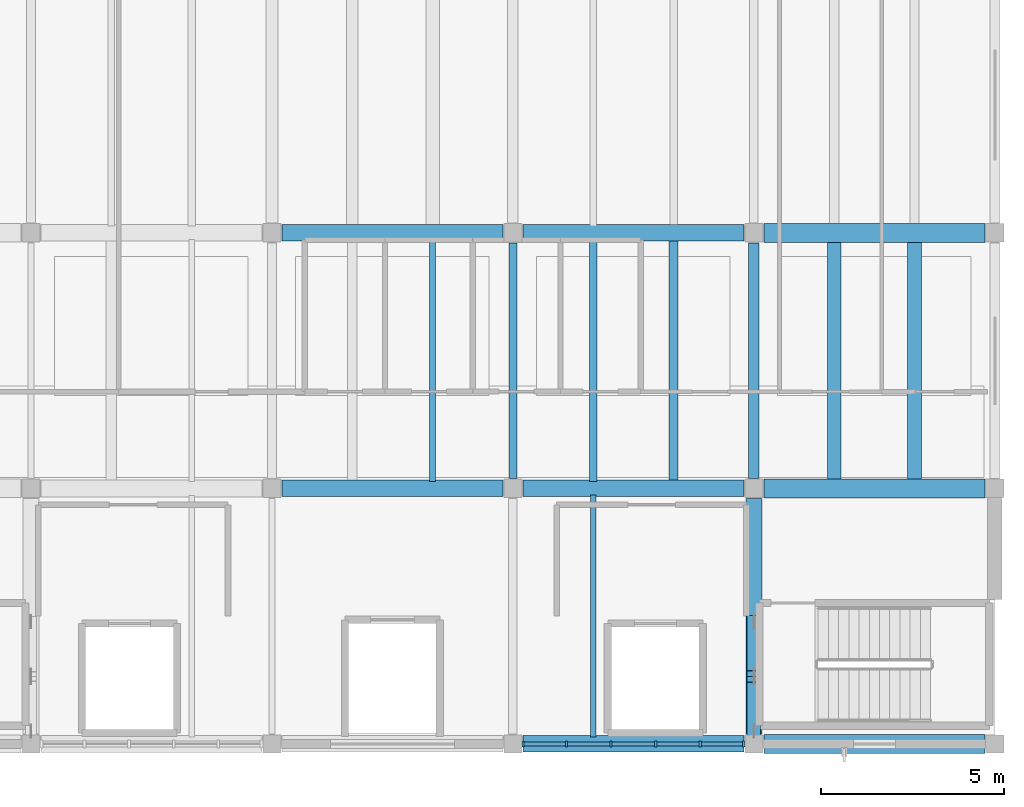
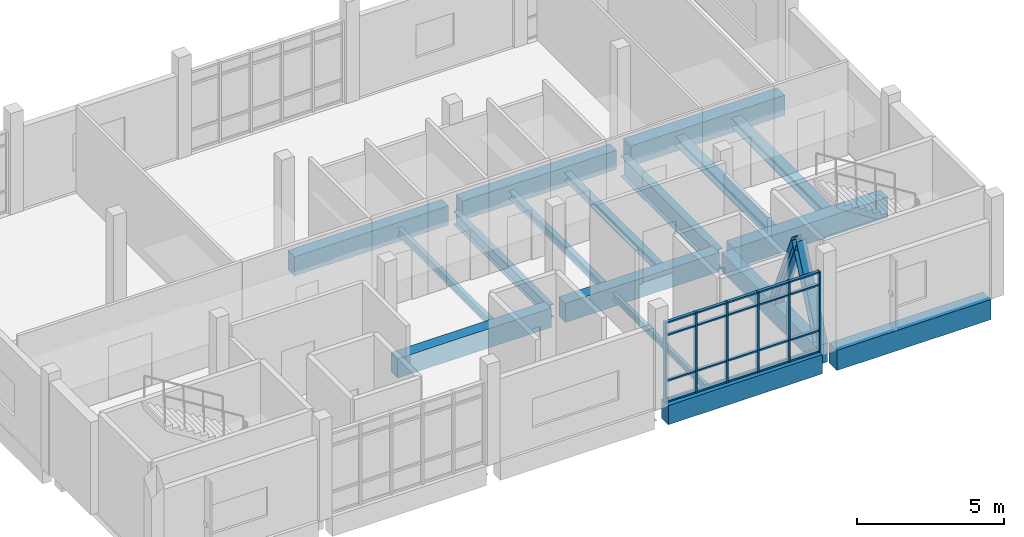
# One storey, part 2 of 10: 28 members, 17 beams, 1 element without a shape of its own.
"""IFC4 building model written with IfcOpenShell, lengths in metres."""

from ifc_helpers import new_model, si_unit, direction, frame, origin, origin_2d, place, context, subcontext, project, spatial, rectangle, i_section, extrude, material, material_profile, profile_set, type_object, element, aggregate, save


model = new_model("IFC4")

# Units and contexts
model_context = context("Model", 3, precision=1e-05, world=origin(), true_north=direction((0.0, 1.0)))
body_context = subcontext(model_context, "Body", "Model", "MODEL_VIEW")
ifc_project = project(units=[si_unit("LENGTHUNIT", "METRE"), si_unit("AREAUNIT", "SQUARE_METRE"), si_unit("VOLUMEUNIT", "CUBIC_METRE"), si_unit("PLANEANGLEUNIT", "RADIAN"), si_unit("MASSUNIT", "GRAM", prefix="KILO")], contexts=[model_context])

# Site, building, storey
site_placement = place(None, origin())
site = spatial("IfcSite", under=ifc_project, at=site_placement, CompositionType="ELEMENT")
building_placement = place(site_placement, origin())
building = spatial("IfcBuilding", under=site, at=building_placement, Name="Ciguamira Faculty of Natural Sciences", CompositionType="ELEMENT")
storey_placement = place(building_placement, frame((0.0, 0.0, 42.0)))
storey = spatial("IfcBuildingStorey", under=building, at=storey_placement, Name="L10", CompositionType="ELEMENT", Elevation=42.0)

# Curtain wall, members
ifc_material_1 = material(Name="Anodized aluminium curtain wall", Category="aluminium")
curtain_wall_type = type_object("IfcCurtainWallType", Name="CurtainWall_CW-10", PredefinedType="USERDEFINED", material=ifc_material_1)
curtain_wall_placement = place(storey_placement, origin())
curtain_wall = element("IfcCurtainWall", 1, at=curtain_wall_placement, inside=storey, type_object=curtain_wall_type, Name="L10 unitised curtain wall 0166", ObjectType="UNITISED CURTAIN WALL", PredefinedType="USERDEFINED")
ifc_material_2 = material(Name="Anodized aluminium mullion", Category="aluminium")
ifc_material_profile_1 = material_profile(ifc_material_2, rectangle(XDim=0.06005859375, YDim=0.159912109375, at=origin_2d()), Name="ALU-MUL-60X160")
ifc_profile_set_1 = profile_set([ifc_material_profile_1], Name="Anodized aluminium mullion")
member_type_1 = type_object("IfcMemberType", Name="CWMullion_CWM-01", PredefinedType="MULLION", material=ifc_profile_set_1)
member_1_placement = place(storey_placement, frame((90.580078125, 94.0, 0.0), z_axis=(0.0, 0.0, 1.0), x_axis=(1.0, 0.0, 0.0)))
member_1 = element("IfcMember", 2, at=member_1_placement, type_object=member_type_1, Name="CW-10 mullion 1", PredefinedType="MULLION", context=body_context, shape_type="SweptSolid", body=[
    extrude(rectangle(XDim=0.06005859375, YDim=0.159912109375, at=origin_2d()), origin(), (0.0, 0.0, 1.0), 3.344970703125),
])
member_2_placement = place(storey_placement, frame((91.77001953125, 94.0, 0.0), z_axis=(0.0, 0.0, 1.0), x_axis=(1.0, 0.0, 0.0)))
member_2 = element("IfcMember", 3, at=member_2_placement, type_object=member_type_1, Name="CW-10 mullion 2", PredefinedType="MULLION", context=body_context, shape_type="SweptSolid", body=[
    extrude(rectangle(XDim=0.06005859375, YDim=0.159912109375, at=origin_2d()), origin(), (0.0, 0.0, 1.0), 3.344970703125),
])
member_3_placement = place(storey_placement, frame((92.989990234375, 94.0, 0.0), z_axis=(0.0, 0.0, 1.0), x_axis=(1.0, 0.0, 0.0)))
member_3 = element("IfcMember", 4, at=member_3_placement, type_object=member_type_1, Name="CW-10 mullion 3", PredefinedType="MULLION", context=body_context, shape_type="SweptSolid", body=[
    extrude(rectangle(XDim=0.06005859375, YDim=0.159912109375, at=origin_2d()), origin(), (0.0, 0.0, 1.0), 3.344970703125),
])
member_4_placement = place(storey_placement, frame((94.2099609375, 94.0, 0.0), z_axis=(0.0, 0.0, 1.0), x_axis=(1.0, 0.0, 0.0)))
member_4 = element("IfcMember", 5, at=member_4_placement, type_object=member_type_1, Name="CW-10 mullion 4", PredefinedType="MULLION", context=body_context, shape_type="SweptSolid", body=[
    extrude(rectangle(XDim=0.06005859375, YDim=0.159912109375, at=origin_2d()), origin(), (0.0, 0.0, 1.0), 3.344970703125),
])
member_5_placement = place(storey_placement, frame((95.429931640625, 94.0, 0.0), z_axis=(0.0, 0.0, 1.0), x_axis=(1.0, 0.0, 0.0)))
member_5 = element("IfcMember", 6, at=member_5_placement, type_object=member_type_1, Name="CW-10 mullion 5", PredefinedType="MULLION", context=body_context, shape_type="SweptSolid", body=[
    extrude(rectangle(XDim=0.06005859375, YDim=0.159912109375, at=origin_2d()), origin(), (0.0, 0.0, 1.0), 3.344970703125),
])
member_6_placement = place(storey_placement, frame((96.6201171875, 94.0, 0.0), z_axis=(0.0, 0.0, 1.0), x_axis=(1.0, 0.0, 0.0)))
member_6 = element("IfcMember", 7, at=member_6_placement, type_object=member_type_1, Name="CW-10 mullion 6", PredefinedType="MULLION", context=body_context, shape_type="SweptSolid", body=[
    extrude(rectangle(XDim=0.06005859375, YDim=0.159912109375, at=origin_2d()), origin(), (0.0, 0.0, 1.0), 3.344970703125),
])
ifc_material_3 = material(Name="Anodized aluminium transom", Category="aluminium")
ifc_material_profile_2 = material_profile(ifc_material_3, rectangle(XDim=0.06005859375, YDim=0.1201171875, at=origin_2d()), Name="ALU-TRN-60X120")
ifc_profile_set_2 = profile_set([ifc_material_profile_2], Name="Anodized aluminium transom")
member_type_2 = type_object("IfcMemberType", Name="CWTransom_CWT-01", PredefinedType="USERDEFINED", material=ifc_profile_set_2)
member_7_placement = place(storey_placement, frame((90.610107421875, 94.0, 0.030029296875), z_axis=(1.0, 0.0, 0.0), x_axis=(0.0, 0.0, 1.0)))
member_7 = element("IfcMember", 8, at=member_7_placement, type_object=member_type_2, Name="CW-10 transom 1.1", ObjectType="TRANSOM", PredefinedType="USERDEFINED", context=body_context, shape_type="SweptSolid", body=[
    extrude(rectangle(XDim=0.06005859375, YDim=0.1201171875, at=origin_2d()), origin(), (0.0, 0.0, 1.0), 1.1298828125),
])
member_8_placement = place(storey_placement, frame((90.610107421875, 94.0, 0.89990234375), z_axis=(1.0, 0.0, 0.0), x_axis=(0.0, 0.0, 1.0)))
member_8 = element("IfcMember", 9, at=member_8_placement, type_object=member_type_2, Name="CW-10 transom 1.2", ObjectType="TRANSOM", PredefinedType="USERDEFINED", context=body_context, shape_type="SweptSolid", body=[
    extrude(rectangle(XDim=0.06005859375, YDim=0.1201171875, at=origin_2d()), origin(), (0.0, 0.0, 1.0), 1.1298828125),
])
member_9_placement = place(storey_placement, frame((90.610107421875, 94.0, 2.794921875), z_axis=(1.0, 0.0, 0.0), x_axis=(0.0, 0.0, 1.0)))
member_9 = element("IfcMember", 10, at=member_9_placement, type_object=member_type_2, Name="CW-10 transom 1.3", ObjectType="TRANSOM", PredefinedType="USERDEFINED", context=body_context, shape_type="SweptSolid", body=[
    extrude(rectangle(XDim=0.06005859375, YDim=0.1201171875, at=origin_2d()), origin(), (0.0, 0.0, 1.0), 1.1298828125),
])
member_10_placement = place(storey_placement, frame((90.610107421875, 94.0, 3.31494140625), z_axis=(1.0, 0.0, 0.0), x_axis=(0.0, 0.0, 1.0)))
member_10 = element("IfcMember", 11, at=member_10_placement, type_object=member_type_2, Name="CW-10 transom 1.4", ObjectType="TRANSOM", PredefinedType="USERDEFINED", context=body_context, shape_type="SweptSolid", body=[
    extrude(rectangle(XDim=0.06005859375, YDim=0.1201171875, at=origin_2d()), origin(), (0.0, 0.0, 1.0), 1.1298828125),
])
member_11_placement = place(storey_placement, frame((91.800048828125, 94.0, 0.030029296875), z_axis=(1.0, 0.0, 0.0), x_axis=(0.0, 0.0, 1.0)))
member_11 = element("IfcMember", 12, at=member_11_placement, type_object=member_type_2, Name="CW-10 transom 2.1", ObjectType="TRANSOM", PredefinedType="USERDEFINED", context=body_context, shape_type="SweptSolid", body=[
    extrude(rectangle(XDim=0.06005859375, YDim=0.1201171875, at=origin_2d()), origin(), (0.0, 0.0, 1.0), 1.159912109375),
])
member_12_placement = place(storey_placement, frame((91.800048828125, 94.0, 0.89990234375), z_axis=(1.0, 0.0, 0.0), x_axis=(0.0, 0.0, 1.0)))
member_12 = element("IfcMember", 13, at=member_12_placement, type_object=member_type_2, Name="CW-10 transom 2.2", ObjectType="TRANSOM", PredefinedType="USERDEFINED", context=body_context, shape_type="SweptSolid", body=[
    extrude(rectangle(XDim=0.06005859375, YDim=0.1201171875, at=origin_2d()), origin(), (0.0, 0.0, 1.0), 1.159912109375),
])
member_13_placement = place(storey_placement, frame((91.800048828125, 94.0, 2.794921875), z_axis=(1.0, 0.0, 0.0), x_axis=(0.0, 0.0, 1.0)))
member_13 = element("IfcMember", 14, at=member_13_placement, type_object=member_type_2, Name="CW-10 transom 2.3", ObjectType="TRANSOM", PredefinedType="USERDEFINED", context=body_context, shape_type="SweptSolid", body=[
    extrude(rectangle(XDim=0.06005859375, YDim=0.1201171875, at=origin_2d()), origin(), (0.0, 0.0, 1.0), 1.159912109375),
])
member_14_placement = place(storey_placement, frame((91.800048828125, 94.0, 3.31494140625), z_axis=(1.0, 0.0, 0.0), x_axis=(0.0, 0.0, 1.0)))
member_14 = element("IfcMember", 15, at=member_14_placement, type_object=member_type_2, Name="CW-10 transom 2.4", ObjectType="TRANSOM", PredefinedType="USERDEFINED", context=body_context, shape_type="SweptSolid", body=[
    extrude(rectangle(XDim=0.06005859375, YDim=0.1201171875, at=origin_2d()), origin(), (0.0, 0.0, 1.0), 1.159912109375),
])
member_15_placement = place(storey_placement, frame((93.02001953125, 94.0, 0.030029296875), z_axis=(1.0, 0.0, 0.0), x_axis=(0.0, 0.0, 1.0)))
member_15 = element("IfcMember", 16, at=member_15_placement, type_object=member_type_2, Name="CW-10 transom 3.1", ObjectType="TRANSOM", PredefinedType="USERDEFINED", context=body_context, shape_type="SweptSolid", body=[
    extrude(rectangle(XDim=0.06005859375, YDim=0.1201171875, at=origin_2d()), origin(), (0.0, 0.0, 1.0), 1.159912109375),
])
member_16_placement = place(storey_placement, frame((93.02001953125, 94.0, 0.89990234375), z_axis=(1.0, 0.0, 0.0), x_axis=(0.0, 0.0, 1.0)))
member_16 = element("IfcMember", 17, at=member_16_placement, type_object=member_type_2, Name="CW-10 transom 3.2", ObjectType="TRANSOM", PredefinedType="USERDEFINED", context=body_context, shape_type="SweptSolid", body=[
    extrude(rectangle(XDim=0.06005859375, YDim=0.1201171875, at=origin_2d()), origin(), (0.0, 0.0, 1.0), 1.159912109375),
])
member_17_placement = place(storey_placement, frame((93.02001953125, 94.0, 2.794921875), z_axis=(1.0, 0.0, 0.0), x_axis=(0.0, 0.0, 1.0)))
member_17 = element("IfcMember", 18, at=member_17_placement, type_object=member_type_2, Name="CW-10 transom 3.3", ObjectType="TRANSOM", PredefinedType="USERDEFINED", context=body_context, shape_type="SweptSolid", body=[
    extrude(rectangle(XDim=0.06005859375, YDim=0.1201171875, at=origin_2d()), origin(), (0.0, 0.0, 1.0), 1.159912109375),
])
member_18_placement = place(storey_placement, frame((93.02001953125, 94.0, 3.31494140625), z_axis=(1.0, 0.0, 0.0), x_axis=(0.0, 0.0, 1.0)))
member_18 = element("IfcMember", 19, at=member_18_placement, type_object=member_type_2, Name="CW-10 transom 3.4", ObjectType="TRANSOM", PredefinedType="USERDEFINED", context=body_context, shape_type="SweptSolid", body=[
    extrude(rectangle(XDim=0.06005859375, YDim=0.1201171875, at=origin_2d()), origin(), (0.0, 0.0, 1.0), 1.159912109375),
])
member_19_placement = place(storey_placement, frame((94.239990234375, 94.0, 0.030029296875), z_axis=(1.0, 0.0, 0.0), x_axis=(0.0, 0.0, 1.0)))
member_19 = element("IfcMember", 20, at=member_19_placement, type_object=member_type_2, Name="CW-10 transom 4.1", ObjectType="TRANSOM", PredefinedType="USERDEFINED", context=body_context, shape_type="SweptSolid", body=[
    extrude(rectangle(XDim=0.06005859375, YDim=0.1201171875, at=origin_2d()), origin(), (0.0, 0.0, 1.0), 1.159912109375),
])
member_20_placement = place(storey_placement, frame((94.239990234375, 94.0, 0.89990234375), z_axis=(1.0, 0.0, 0.0), x_axis=(0.0, 0.0, 1.0)))
member_20 = element("IfcMember", 21, at=member_20_placement, type_object=member_type_2, Name="CW-10 transom 4.2", ObjectType="TRANSOM", PredefinedType="USERDEFINED", context=body_context, shape_type="SweptSolid", body=[
    extrude(rectangle(XDim=0.06005859375, YDim=0.1201171875, at=origin_2d()), origin(), (0.0, 0.0, 1.0), 1.159912109375),
])
member_21_placement = place(storey_placement, frame((94.239990234375, 94.0, 2.794921875), z_axis=(1.0, 0.0, 0.0), x_axis=(0.0, 0.0, 1.0)))
member_21 = element("IfcMember", 22, at=member_21_placement, type_object=member_type_2, Name="CW-10 transom 4.3", ObjectType="TRANSOM", PredefinedType="USERDEFINED", context=body_context, shape_type="SweptSolid", body=[
    extrude(rectangle(XDim=0.06005859375, YDim=0.1201171875, at=origin_2d()), origin(), (0.0, 0.0, 1.0), 1.159912109375),
])
member_22_placement = place(storey_placement, frame((94.239990234375, 94.0, 3.31494140625), z_axis=(1.0, 0.0, 0.0), x_axis=(0.0, 0.0, 1.0)))
member_22 = element("IfcMember", 23, at=member_22_placement, type_object=member_type_2, Name="CW-10 transom 4.4", ObjectType="TRANSOM", PredefinedType="USERDEFINED", context=body_context, shape_type="SweptSolid", body=[
    extrude(rectangle(XDim=0.06005859375, YDim=0.1201171875, at=origin_2d()), origin(), (0.0, 0.0, 1.0), 1.159912109375),
])
member_23_placement = place(storey_placement, frame((95.4599609375, 94.0, 0.030029296875), z_axis=(1.0, 0.0, 0.0), x_axis=(0.0, 0.0, 1.0)))
member_23 = element("IfcMember", 24, at=member_23_placement, type_object=member_type_2, Name="CW-10 transom 5.1", ObjectType="TRANSOM", PredefinedType="USERDEFINED", context=body_context, shape_type="SweptSolid", body=[
    extrude(rectangle(XDim=0.06005859375, YDim=0.1201171875, at=origin_2d()), origin(), (0.0, 0.0, 1.0), 1.130126953125),
])
member_24_placement = place(storey_placement, frame((95.4599609375, 94.0, 0.89990234375), z_axis=(1.0, 0.0, 0.0), x_axis=(0.0, 0.0, 1.0)))
member_24 = element("IfcMember", 25, at=member_24_placement, type_object=member_type_2, Name="CW-10 transom 5.2", ObjectType="TRANSOM", PredefinedType="USERDEFINED", context=body_context, shape_type="SweptSolid", body=[
    extrude(rectangle(XDim=0.06005859375, YDim=0.1201171875, at=origin_2d()), origin(), (0.0, 0.0, 1.0), 1.130126953125),
])
member_25_placement = place(storey_placement, frame((95.4599609375, 94.0, 2.794921875), z_axis=(1.0, 0.0, 0.0), x_axis=(0.0, 0.0, 1.0)))
member_25 = element("IfcMember", 26, at=member_25_placement, type_object=member_type_2, Name="CW-10 transom 5.3", ObjectType="TRANSOM", PredefinedType="USERDEFINED", context=body_context, shape_type="SweptSolid", body=[
    extrude(rectangle(XDim=0.06005859375, YDim=0.1201171875, at=origin_2d()), origin(), (0.0, 0.0, 1.0), 1.130126953125),
])
member_26_placement = place(storey_placement, frame((95.4599609375, 94.0, 3.31494140625), z_axis=(1.0, 0.0, 0.0), x_axis=(0.0, 0.0, 1.0)))
member_26 = element("IfcMember", 27, at=member_26_placement, type_object=member_type_2, Name="CW-10 transom 5.4", ObjectType="TRANSOM", PredefinedType="USERDEFINED", context=body_context, shape_type="SweptSolid", body=[
    extrude(rectangle(XDim=0.06005859375, YDim=0.1201171875, at=origin_2d()), origin(), (0.0, 0.0, 1.0), 1.130126953125),
])
aggregate(curtain_wall, [member_1, member_2, member_3, member_4, member_5, member_6, member_7, member_8, member_9, member_10, member_11, member_12, member_13, member_14, member_15, member_16, member_17, member_18, member_19, member_20, member_21, member_22, member_23, member_24, member_25, member_26])

# Beams
ifc_material_4 = material(Name="Concrete C40/50", Category="concrete")
ifc_material_profile_3 = material_profile(ifc_material_4, rectangle(XDim=0.449951171875, YDim=0.800048828125, at=origin_2d()), Name="RC-BM-450X800")
ifc_profile_set_3 = profile_set([ifc_material_profile_3], Name="Concrete C40/50")
beam_type_1 = type_object("IfcBeamType", Name="RCBeam_BG-05_RC-BM-450X800", PredefinedType="BEAM", material=ifc_profile_set_3)
beam_1_placement = place(storey_placement, frame((90.574951171875, 94.0, -0.39990234375), z_axis=(1.0, 0.0, 0.0), x_axis=(0.0, 1.0, 0.0)))
element("IfcBeam", 28, at=beam_1_placement, inside=storey, type_object=beam_type_1, Name="L10 RC girder EW-1677", PredefinedType="BEAM", context=body_context, shape_type="SweptSolid", body=[
    extrude(rectangle(XDim=0.449951171875, YDim=0.800048828125, at=origin_2d()), origin(), (0.0, 0.0, 1.0), 6.050048828125),
])
beam_2_placement = place(storey_placement, frame((83.97509765625, 101.0, -0.39990234375), z_axis=(1.0, 0.0, 0.0), x_axis=(0.0, 1.0, 0.0)))
element("IfcBeam", 29, at=beam_2_placement, inside=storey, type_object=beam_type_1, Name="L10 RC girder EW-1681", PredefinedType="BEAM", context=body_context, shape_type="SweptSolid", body=[
    extrude(rectangle(XDim=0.449951171875, YDim=0.800048828125, at=origin_2d()), origin(), (0.0, 0.0, 1.0), 6.0498046875),
])
beam_3_placement = place(storey_placement, frame((90.574951171875, 101.0, -0.39990234375), z_axis=(1.0, 0.0, 0.0), x_axis=(0.0, 1.0, 0.0)))
element("IfcBeam", 30, at=beam_3_placement, inside=storey, type_object=beam_type_1, Name="L10 RC girder EW-1682", PredefinedType="BEAM", context=body_context, shape_type="SweptSolid", body=[
    extrude(rectangle(XDim=0.449951171875, YDim=0.800048828125, at=origin_2d()), origin(), (0.0, 0.0, 1.0), 6.050048828125),
])
beam_4_placement = place(storey_placement, frame((83.97509765625, 108.0, -0.39990234375), z_axis=(1.0, 0.0, 0.0), x_axis=(0.0, 1.0, 0.0)))
element("IfcBeam", 31, at=beam_4_placement, inside=storey, type_object=beam_type_1, Name="L10 RC girder EW-1686", PredefinedType="BEAM", context=body_context, shape_type="SweptSolid", body=[
    extrude(rectangle(XDim=0.449951171875, YDim=0.800048828125, at=origin_2d()), origin(), (0.0, 0.0, 1.0), 6.0498046875),
])
beam_5_placement = place(storey_placement, frame((90.574951171875, 108.0, -0.39990234375), z_axis=(1.0, 0.0, 0.0), x_axis=(0.0, 1.0, 0.0)))
element("IfcBeam", 32, at=beam_5_placement, inside=storey, type_object=beam_type_1, Name="L10 RC girder EW-1687", PredefinedType="BEAM", context=body_context, shape_type="SweptSolid", body=[
    extrude(rectangle(XDim=0.449951171875, YDim=0.800048828125, at=origin_2d()), origin(), (0.0, 0.0, 1.0), 6.050048828125),
])
ifc_material_profile_4 = material_profile(ifc_material_4, rectangle(XDim=0.43994140625, YDim=0.780029296875, at=origin_2d()), Name="RC-BM-440X780")
ifc_profile_set_4 = profile_set([ifc_material_profile_4], Name="Concrete C40/50")
beam_type_2 = type_object("IfcBeamType", Name="RCBeam_BG-06_RC-BM-440X780", PredefinedType="BEAM", material=ifc_profile_set_4)
beam_6_placement = place(storey_placement, frame((96.89990234375, 94.27490234375, -0.389892578125), z_axis=(0.0, 1.0, 0.0), x_axis=(-1.0, 0.0, 0.0)))
element("IfcBeam", 33, at=beam_6_placement, inside=storey, type_object=beam_type_2, Name="L10 core-end brace tie girder 96", PredefinedType="BEAM", context=body_context, shape_type="SweptSolid", body=[
    extrude(rectangle(XDim=0.43994140625, YDim=0.780029296875, at=origin_2d()), origin(), (0.0, 0.0, 1.0), 6.4501953125),
])
ifc_material_profile_5 = material_profile(ifc_material_4, rectangle(XDim=0.52001953125, YDim=0.840087890625, at=origin_2d()), Name="RC-TB-520X840")
ifc_profile_set_5 = profile_set([ifc_material_profile_5], Name="Concrete C40/50")
beam_type_3 = type_object("IfcBeamType", Name="RCBeam_TB-02_RC-TB-520X840", PredefinedType="T_BEAM", material=ifc_profile_set_5)
for number, where, z_axis, x_axis, name in (
    (34, (97.175048828125, 94.0, -0.419921875), (1.0, 0.0, 0.0), (0.0, 1.0, 0.0), "L10 RC girder EW-1678"),
    (35, (97.175048828125, 101.0, -0.419921875), (1.0, 0.0, 0.0), (0.0, 1.0, 0.0), "L10 RC girder EW-1683"),
    (36, (97.175048828125, 108.0, -0.419921875), (1.0, 0.0, 0.0), (0.0, 1.0, 0.0), "L10 RC girder EW-1688"),
):
    element("IfcBeam", number, at=place(storey_placement, frame(where, z_axis=z_axis, x_axis=x_axis)), inside=storey, type_object=beam_type_3, Name=name, PredefinedType="T_BEAM", context=body_context, shape_type="SweptSolid", body=[
        extrude(rectangle(XDim=0.52001953125, YDim=0.840087890625, at=origin_2d()), origin(), (0.0, 0.0, 1.0), 6.050048828125),
    ])
ifc_material_5 = material(Name="Steel ASTM A992 Grade 50", Category="steel")
ifc_material_profile_6 = material_profile(ifc_material_5, i_section(OverallWidth=0.21240234375, OverallDepth=0.54345703125, WebThickness=0.01318359375, FlangeThickness=0.021240234375, at=origin_2d()), Name="W21X83")
ifc_profile_set_6 = profile_set([ifc_material_profile_6], Name="Steel ASTM A992 Grade 50")
beam_type_4 = type_object("IfcBeamType", Name="SteelGirder_SB-29_W21X83", PredefinedType="BEAM", material=ifc_profile_set_6)
beam_7_placement = place(storey_placement, frame((90.300048828125, 101.27490234375, -0.53173828125), z_axis=(0.0, 1.0, 0.0), x_axis=(-1.0, 0.0, 0.0)))
element("IfcBeam", 37, at=beam_7_placement, inside=storey, type_object=beam_type_4, Name="L10 girder NS-1702", PredefinedType="BEAM", context=body_context, shape_type="SweptSolid", body=[
    extrude(i_section(OverallWidth=0.21240234375, OverallDepth=0.54345703125, WebThickness=0.01318359375, FlangeThickness=0.021240234375, at=origin_2d()), origin(), (0.0, 0.0, 1.0), 6.4501953125),
])
ifc_material_profile_7 = material_profile(ifc_material_5, i_section(OverallWidth=0.2919921875, OverallDepth=0.835693359375, WebThickness=0.013916015625, FlangeThickness=0.018798828125, at=origin_2d()), Name="W33X118")
ifc_profile_set_7 = profile_set([ifc_material_profile_7], Name="Steel ASTM A992 Grade 50")
beam_type_5 = type_object("IfcBeamType", Name="SteelGirder_SB-36_W33X118", PredefinedType="BEAM", material=ifc_profile_set_7)
beam_8_placement = place(storey_placement, frame((96.89990234375, 101.27490234375, -0.677734375), z_axis=(0.0, 1.0, 0.0), x_axis=(-1.0, 0.0, 0.0)))
element("IfcBeam", 38, at=beam_8_placement, inside=storey, type_object=beam_type_5, Name="L10 girder NS-1704", PredefinedType="BEAM", context=body_context, shape_type="SweptSolid", body=[
    extrude(i_section(OverallWidth=0.2919921875, OverallDepth=0.835693359375, WebThickness=0.013916015625, FlangeThickness=0.018798828125, at=origin_2d()), origin(), (0.0, 0.0, 1.0), 6.4501953125),
])
ifc_material_profile_8 = material_profile(ifc_material_5, i_section(OverallWidth=0.14599609375, OverallDepth=0.259033203125, WebThickness=0.006103515625, FlangeThickness=0.009033203125, at=origin_2d()), Name="W10X22")
ifc_profile_set_8 = profile_set([ifc_material_profile_8], Name="Steel ASTM A992 Grade 50")
beam_type_6 = type_object("IfcBeamType", Name="SteelJoist_SJ-01_W10X22", PredefinedType="JOIST", material=ifc_profile_set_8)
beam_9_placement = place(storey_placement, frame((92.5, 94.18505859375, -0.349609375), z_axis=(0.0, 1.0, 0.0), x_axis=(-1.0, 0.0, 0.0)))
element("IfcBeam", 39, at=beam_9_placement, inside=storey, type_object=beam_type_6, Name="L10 composite steel joist 01519", PredefinedType="JOIST", context=body_context, shape_type="SweptSolid", body=[
    extrude(i_section(OverallWidth=0.14599609375, OverallDepth=0.259033203125, WebThickness=0.006103515625, FlangeThickness=0.009033203125, at=origin_2d()), origin(), (0.0, 0.0, 1.0), 6.6298828125),
])
ifc_material_profile_9 = material_profile(ifc_material_5, i_section(OverallWidth=0.164794921875, OverallDepth=0.309814453125, WebThickness=0.005859375, FlangeThickness=0.009765625, at=origin_2d()), Name="W12X26")
ifc_profile_set_9 = profile_set([ifc_material_profile_9], Name="Steel ASTM A992 Grade 50")
beam_type_7 = type_object("IfcBeamType", Name="SteelJoist_SJ-04_W12X26", PredefinedType="JOIST", material=ifc_profile_set_9)
beam_10_placement = place(storey_placement, frame((88.10009765625, 101.18505859375, -0.375), z_axis=(0.0, 1.0, 0.0), x_axis=(-1.0, 0.0, 0.0)))
element("IfcBeam", 40, at=beam_10_placement, inside=storey, type_object=beam_type_7, Name="L10 composite steel joist 01516", PredefinedType="JOIST", context=body_context, shape_type="SweptSolid", body=[
    extrude(i_section(OverallWidth=0.164794921875, OverallDepth=0.309814453125, WebThickness=0.005859375, FlangeThickness=0.009765625, at=origin_2d()), origin(), (0.0, 0.0, 1.0), 6.6298828125),
])
ifc_material_profile_10 = material_profile(ifc_material_5, i_section(OverallWidth=0.20458984375, OverallDepth=0.307373046875, WebThickness=0.008544921875, FlangeThickness=0.0146484375, at=origin_2d()), Name="W12X45")
ifc_profile_set_10 = profile_set([ifc_material_profile_10], Name="Steel ASTM A992 Grade 50")
beam_type_8 = type_object("IfcBeamType", Name="SteelJoist_SJ-06_W12X45", PredefinedType="JOIST", material=ifc_profile_set_10)
beam_11_placement = place(storey_placement, frame((92.5, 101.18505859375, -0.373779296875), z_axis=(0.0, 1.0, 0.0), x_axis=(-1.0, 0.0, 0.0)))
element("IfcBeam", 41, at=beam_11_placement, inside=storey, type_object=beam_type_8, Name="L10 composite steel joist 01520", PredefinedType="JOIST", context=body_context, shape_type="SweptSolid", body=[
    extrude(i_section(OverallWidth=0.20458984375, OverallDepth=0.307373046875, WebThickness=0.008544921875, FlangeThickness=0.0146484375, at=origin_2d()), origin(), (0.0, 0.0, 1.0), 6.6298828125),
])
ifc_material_profile_11 = material_profile(ifc_material_5, i_section(OverallWidth=0.25390625, OverallDepth=0.307373046875, WebThickness=0.0087890625, FlangeThickness=0.0146484375, at=origin_2d()), Name="W12X53")
ifc_profile_set_11 = profile_set([ifc_material_profile_11], Name="Steel ASTM A992 Grade 50")
beam_type_9 = type_object("IfcBeamType", Name="SteelJoist_SJ-07_W12X53", PredefinedType="JOIST", material=ifc_profile_set_11)
beam_12_placement = place(storey_placement, frame((94.699951171875, 101.18505859375, -0.373779296875), z_axis=(0.0, 1.0, 0.0), x_axis=(-1.0, 0.0, 0.0)))
element("IfcBeam", 42, at=beam_12_placement, inside=storey, type_object=beam_type_9, Name="L10 composite steel joist 01521", PredefinedType="JOIST", context=body_context, shape_type="SweptSolid", body=[
    extrude(i_section(OverallWidth=0.25390625, OverallDepth=0.307373046875, WebThickness=0.0087890625, FlangeThickness=0.0146484375, at=origin_2d()), origin(), (0.0, 0.0, 1.0), 6.6298828125),
])
ifc_material_profile_12 = material_profile(ifc_material_5, i_section(OverallWidth=0.370849609375, OverallDepth=0.36328125, WebThickness=0.013427734375, FlangeThickness=0.021728515625, at=origin_2d()), Name="W14X109")
ifc_profile_set_12 = profile_set([ifc_material_profile_12], Name="Steel ASTM A992 Grade 50")
beam_type_10 = type_object("IfcBeamType", Name="SteelJoist_SJ-09_W14X109", PredefinedType="JOIST", material=ifc_profile_set_12)
beam_13_placement = place(storey_placement, frame((99.10009765625, 101.219970703125, -0.401611328125), z_axis=(0.0, 1.0, 0.0), x_axis=(-1.0, 0.0, 0.0)))
element("IfcBeam", 43, at=beam_13_placement, inside=storey, type_object=beam_type_10, Name="L10 composite steel joist 01524", PredefinedType="JOIST", context=body_context, shape_type="SweptSolid", body=[
    extrude(i_section(OverallWidth=0.370849609375, OverallDepth=0.36328125, WebThickness=0.013427734375, FlangeThickness=0.021728515625, at=origin_2d()), origin(), (0.0, 0.0, 1.0), 6.56005859375),
])
ifc_material_profile_13 = material_profile(ifc_material_5, i_section(OverallWidth=0.373291015625, OverallDepth=0.373291015625, WebThickness=0.016357421875, FlangeThickness=0.026123046875, at=origin_2d()), Name="W14X132")
ifc_profile_set_13 = profile_set([ifc_material_profile_13], Name="Steel ASTM A992 Grade 50")
beam_type_11 = type_object("IfcBeamType", Name="SteelJoist_SJ-10_W14X132", PredefinedType="JOIST", material=ifc_profile_set_13)
beam_14_placement = place(storey_placement, frame((101.300048828125, 101.219970703125, -0.40673828125), z_axis=(0.0, 1.0, 0.0), x_axis=(-1.0, 0.0, 0.0)))
element("IfcBeam", 44, at=beam_14_placement, inside=storey, type_object=beam_type_11, Name="L10 composite steel joist 01525", PredefinedType="JOIST", context=body_context, shape_type="SweptSolid", body=[
    extrude(i_section(OverallWidth=0.373291015625, OverallDepth=0.373291015625, WebThickness=0.016357421875, FlangeThickness=0.026123046875, at=origin_2d()), origin(), (0.0, 0.0, 1.0), 6.56005859375),
])

# Members
ifc_material_profile_14 = material_profile(ifc_material_5, i_section(OverallWidth=0.368408203125, OverallDepth=0.355712890625, WebThickness=0.01123046875, FlangeThickness=0.01806640625, at=origin_2d()), Name="W14X90")
ifc_profile_set_14 = profile_set([ifc_material_profile_14], Name="Steel ASTM A992 Grade 50")
member_type_3 = type_object("IfcMemberType", Name="SteelMember_BR-01_W14X90", PredefinedType="BRACE", material=ifc_profile_set_14)
for number, where, z_axis, x_axis, name in (
    (45, (96.89990234375, 94.35009765625, 0.0), (0.0, 0.401669190317, 0.915784833653), (-1.0, 0.0, 0.0), "L10 lateral chevron brace 047"),
    (46, (96.89990234375, 97.35009765625, 0.0), (0.0, -0.401669190317, 0.915784833653), (1.0, 0.0, 0.0), "L10 lateral chevron brace 048"),
):
    element("IfcMember", number, at=place(storey_placement, frame(where, z_axis=z_axis, x_axis=x_axis)), inside=storey, type_object=member_type_3, Name=name, PredefinedType="BRACE", context=body_context, shape_type="SweptSolid", body=[
        extrude(i_section(OverallWidth=0.368408203125, OverallDepth=0.355712890625, WebThickness=0.01123046875, FlangeThickness=0.01806640625, at=origin_2d()), origin(), (0.0, 0.0, 1.0), 3.734375),
    ])

save(model, "model.ifc")
